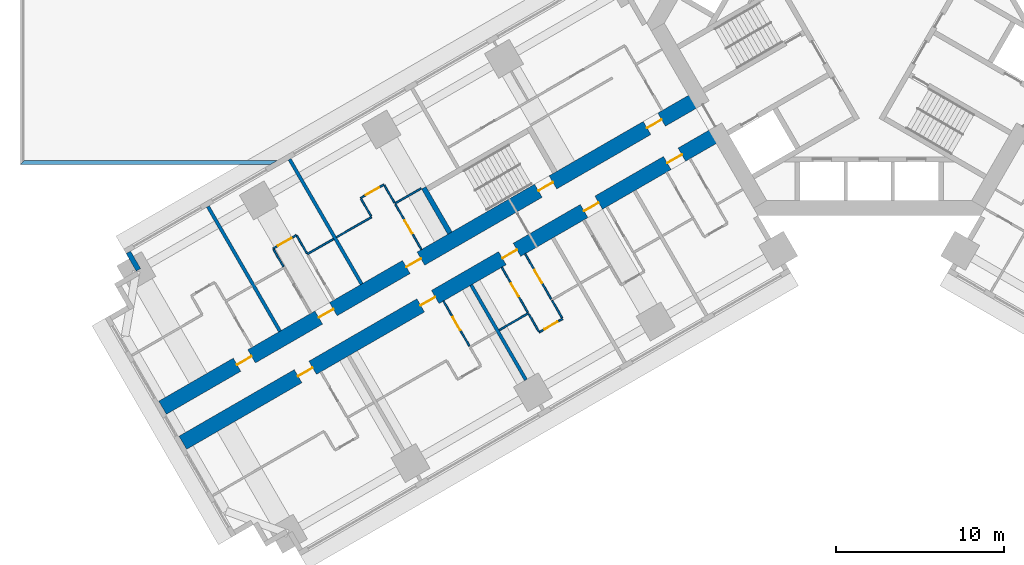
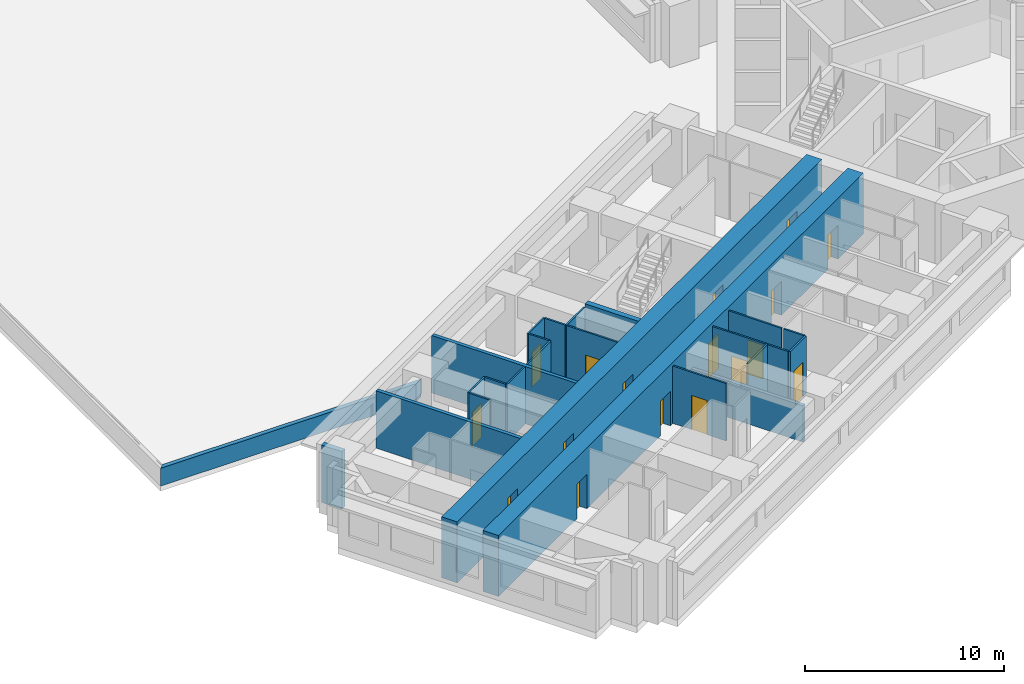
# One storey, part 4 of 18: 25 walls, 17 doors, 17 openings.
"""IFC4 building model written with IfcOpenShell, lengths in metres."""

import ifcopenshell
import ifcopenshell.guid

model = None  # the IFC model being written
_history = None  # IfcOwnerHistory: only IFC2X3 demands one
_inside = {}  # id of a spatial element -> (the spatial element, [elements in it])
_under = {}  # id of a project, library or spatial element -> (it, [spatial elements below it])
_declared = {}  # id of a project -> (the project, [libraries it declares])
_typed = {}  # id of a type object -> (the type object, [elements of that type])
_made_of = {}  # id of a material, layer set ... -> (it, [elements and type objects made of it])


def new_model(schema):
    """Start an empty IFC model of exactly this schema.

    Asked for "IFC4X3", IfcOpenShell would pick the latest addendum, in which some entities
    have other attributes; the version numbers below select the first issue.
    IFC2X3 requires an IfcOwnerHistory on every rooted entity: one is made here for all.
    """
    global model, _history
    if schema == "IFC4X3":
        model = ifcopenshell.file(schema_version=(4, 3, 0, 0))
    else:
        model = ifcopenshell.file(schema=schema)
    _inside.clear()
    _under.clear()
    _declared.clear()
    _typed.clear()
    _made_of.clear()
    _history = None
    if model.schema == "IFC2X3":
        org = make("IfcOrganization", Name="unknown")
        user = make(
            "IfcPersonAndOrganization",
            ThePerson=make("IfcPerson", FamilyName="unknown"),
            TheOrganization=org,
        )
        app = make(
            "IfcApplication",
            ApplicationDeveloper=org,
            Version="unknown",
            ApplicationFullName="unknown",
            ApplicationIdentifier="unknown",
        )
        _history = make(
            "IfcOwnerHistory",
            OwningUser=user,
            OwningApplication=app,
            ChangeAction="ADDED",
            CreationDate=0,
        )
    return model


def make(cls, **values):
    """One entity of the class cls with the attributes given. An attribute that is None is left unset."""
    return model.create_entity(
        cls, **{name: value for name, value in values.items() if value is not None}
    )


def rooted(cls, **values):
    """An entity with a GlobalId (a new one), such as an element, a storey or a relation."""
    return make(cls, GlobalId=ifcopenshell.guid.new(), OwnerHistory=_history, **values)


def si_unit(unit_type, name, prefix=None):
    """IfcSIUnit, for example si_unit("LENGTHUNIT", "METRE", prefix="MILLI")."""
    return make("IfcSIUnit", UnitType=unit_type, Prefix=prefix, Name=name)


def assignment(units):
    """IfcUnitAssignment: the units of a project."""
    return None if units is None else make("IfcUnitAssignment", Units=units)


def point(xyz):
    """IfcCartesianPoint."""
    return None if xyz is None else make("IfcCartesianPoint", Coordinates=xyz)


def direction(xyz):
    """IfcDirection."""
    return None if xyz is None else make("IfcDirection", DirectionRatios=xyz)


def frame(location, z_axis=None, x_axis=None):
    """IfcAxis2Placement3D, a coordinate frame: its origin and axes. An axis left out is left unset."""
    return make(
        "IfcAxis2Placement3D",
        Location=point(location),
        Axis=direction(z_axis),
        RefDirection=direction(x_axis),
    )


def frame_2d(location, x_axis=None):
    """IfcAxis2Placement2D, a coordinate frame in the plane: its origin and x axis."""
    return make(
        "IfcAxis2Placement2D", Location=point(location), RefDirection=direction(x_axis)
    )


def origin():
    """The frame at (0, 0, 0) with its axes left unset."""
    return frame((0.0, 0.0, 0.0))


def place(relative_to, where):
    """IfcLocalPlacement: puts the frame where relative to a parent placement (None: the world)."""
    return make(
        "IfcLocalPlacement", PlacementRelTo=relative_to, RelativePlacement=where
    )


def context(
    kind, dimensions, precision=None, world=None, true_north=None, identifier=None
):
    """IfcGeometricRepresentationContext, for example the 3D "Model" context."""
    return make(
        "IfcGeometricRepresentationContext",
        ContextIdentifier=identifier,
        ContextType=kind,
        CoordinateSpaceDimension=dimensions,
        Precision=precision,
        WorldCoordinateSystem=world,
        TrueNorth=true_north,
    )


def subcontext(parent, identifier, kind, view, scale=None):
    """IfcGeometricRepresentationSubContext, for example "Body" below "Model"."""
    return make(
        "IfcGeometricRepresentationSubContext",
        ContextIdentifier=identifier,
        ContextType=kind,
        ParentContext=parent,
        TargetScale=scale,
        TargetView=view,
    )


def project(units=None, contexts=None):
    """IfcProject with its units and contexts."""
    return rooted(
        "IfcProject",
        Name="project",
        RepresentationContexts=contexts,
        UnitsInContext=assignment(units),
    )


def spatial(cls, under=None, at=None, **own):
    """A site, building, storey or space (cls), placed at a placement, below another one or the project."""
    s = rooted(cls, ObjectPlacement=at, **own)
    if under is not None:
        _under.setdefault(under.id(), (under, []))[1].append(s)
    return s


def polyline(points):
    """IfcPolyline through the points."""
    return make("IfcPolyline", Points=[point(p) for p in points])


def profile(cls, at=None, kind="AREA", **sizes):
    """A parametric profile (cls). Its sizes go by their IFC names, for example OverallWidth=200.0."""
    return make(cls, ProfileType=kind, Position=at, **sizes)


def rectangle(**sizes):
    """IfcRectangleProfileDef."""
    return profile("IfcRectangleProfileDef", **sizes)


def outline(outer, holes=None, kind="AREA"):
    """IfcArbitraryClosedProfileDef: a profile drawn as a closed curve; with holes, ...WithVoids."""
    if holes is None:
        return make("IfcArbitraryClosedProfileDef", ProfileType=kind, OuterCurve=outer)
    return make(
        "IfcArbitraryProfileDefWithVoids",
        ProfileType=kind,
        OuterCurve=outer,
        InnerCurves=holes,
    )


def extrude(swept, where, along, depth):
    """IfcExtrudedAreaSolid: the profile swept, set in the frame where, extruded along a direction by depth."""
    return make(
        "IfcExtrudedAreaSolid",
        SweptArea=swept,
        Position=where,
        ExtrudedDirection=direction(along),
        Depth=depth,
    )


def shape(context_of_items, identifier, shape_type, items):
    """IfcShapeRepresentation: the items that make up one representation, for example the "Body"."""
    return make(
        "IfcShapeRepresentation",
        ContextOfItems=context_of_items,
        RepresentationIdentifier=identifier,
        RepresentationType=shape_type,
        Items=items,
    )


def material(Name=None, Category=None):
    """IfcMaterial."""
    return make("IfcMaterial", Name=Name, Category=Category)


def layer(
    of_material, thickness, ventilated=None, Name=None, Category=None, Priority=None
):
    """IfcMaterialLayer: one layer of a wall or slab, of a material (None: an air gap)."""
    return make(
        "IfcMaterialLayer",
        Material=of_material,
        LayerThickness=thickness,
        IsVentilated=ventilated,
        Name=Name,
        Category=Category,
        Priority=Priority,
    )


def layer_set(layers, Name=None):
    """IfcMaterialLayerSet."""
    return make("IfcMaterialLayerSet", MaterialLayers=layers, LayerSetName=Name)


def made_of(thing, what):
    """Note that an element or type object is made of a material, layer set ...; save() writes the relation."""
    if what is not None:
        _made_of.setdefault(what.id(), (what, []))[1].append(thing)
    return thing


def type_object(cls, material=None, **own):
    """A type object (cls), such as IfcWallType, which elements share."""
    return made_of(rooted(cls, **own), material)


def element(
    cls,
    number,
    at=None,
    inside=None,
    cuts=None,
    type_object=None,
    material=None,
    context=None,
    identifier="Body",
    shape_type=None,
    held_by="IfcProductDefinitionShape",
    body=None,
    shapes=None,
    **own,
):
    """One element of the class cls, such as IfcWall. Its Tag is "e" and its number.

    at: its placement. inside: the storey or other place that contains it. cuts: it is an
    opening in that element (IfcRelVoidsElement). A single representation is given by context,
    identifier, shape_type and body (its items); several are given by shapes. held_by: the class
    of the entity that holds the representations. save() writes the other relations.
    """
    e = rooted(cls, Tag="e%d" % number, ObjectPlacement=at, **own)
    if body is not None:
        shapes = [shape(context, identifier, shape_type, body)]
    if shapes is not None:
        e.Representation = make(held_by, Representations=shapes)
    if inside is not None:
        _inside.setdefault(inside.id(), (inside, []))[1].append(e)
    if cuts is not None:
        rooted(
            "IfcRelVoidsElement", RelatingBuildingElement=cuts, RelatedOpeningElement=e
        )
    if type_object is not None:
        _typed.setdefault(type_object.id(), (type_object, []))[1].append(e)
    return made_of(e, material)


def fill(opening, filler):
    """IfcRelFillsElement: the door or window that sits in an opening."""
    return rooted(
        "IfcRelFillsElement",
        RelatingOpeningElement=opening,
        RelatedBuildingElement=filler,
    )


def aggregate(whole, parts):
    """IfcRelAggregates: a whole, such as a stair, and the parts it consists of."""
    return rooted("IfcRelAggregates", RelatingObject=whole, RelatedObjects=parts)


def save(model, path):
    """Write the relations noted so far, then the file.

    IfcRelAggregates (storeys below a building ...), IfcRelContainedInSpatialStructure (elements
    in a storey), IfcRelDefinesByType, IfcRelAssociatesMaterial and IfcRelDeclares: one each for
    every whole, place, type object, material and project.
    """
    for whole, parts in _under.values():
        aggregate(whole, parts)
    for where, things in _inside.values():
        rooted(
            "IfcRelContainedInSpatialStructure",
            RelatedElements=things,
            RelatingStructure=where,
        )
    for kind, things in _typed.values():
        rooted("IfcRelDefinesByType", RelatedObjects=things, RelatingType=kind)
    for what, things in _made_of.values():
        rooted("IfcRelAssociatesMaterial", RelatedObjects=things, RelatingMaterial=what)
    for by, libraries in _declared.values():
        rooted("IfcRelDeclares", RelatingContext=by, RelatedDefinitions=libraries)
    model.write(path)


model = new_model("IFC4")

# Units and contexts
model_context = context("Model", 3, precision=1e-05, world=origin(), true_north=direction((0.0, 1.0)))
body_context = subcontext(model_context, "Body", "Model", "MODEL_VIEW")
ifc_project = project(units=[si_unit("LENGTHUNIT", "METRE"), si_unit("AREAUNIT", "SQUARE_METRE"), si_unit("VOLUMEUNIT", "CUBIC_METRE"), si_unit("PLANEANGLEUNIT", "RADIAN"), si_unit("MASSUNIT", "GRAM", prefix="KILO")], contexts=[model_context])

# Site, building, storey
site_placement = place(None, origin())
site = spatial("IfcSite", under=ifc_project, at=site_placement, CompositionType="ELEMENT")
building_placement = place(site_placement, origin())
building = spatial("IfcBuilding", under=site, at=building_placement, Name="Impinga Residences", CompositionType="ELEMENT")
storey_placement = place(building_placement, frame((0.0, 0.0, 26.0)))
storey = spatial("IfcBuildingStorey", under=building, at=storey_placement, Name="L05", CompositionType="ELEMENT", Elevation=26.0)

# Wall, openings, doors
ifc_material_1 = material(Name="Concrete C70/85", Category="concrete")
ifc_layer_1 = layer(ifc_material_1, 0.89990234375)
ifc_layer_set_1 = layer_set([ifc_layer_1], Name="Concrete C70/85")
wall_type_1 = type_object("IfcWallType", Name="BW1 corridor buttress wall, L05 to L22 900", PredefinedType="SHEAR", material=ifc_layer_set_1)
wall_1_placement = place(storey_placement, frame((-8.910400390625, -6.530029296875, 0.0), z_axis=(0.0, 0.0, 1.0), x_axis=(-0.866025284237, -0.500000207062, 0.0)))
wall_1 = element("IfcWall", 1, at=wall_1_placement, inside=storey, type_object=wall_type_1, Name="Corridor wall BW1 WC L05", PredefinedType="SHEAR", context=body_context, shape_type="SweptSolid", body=[
    extrude(rectangle(XDim=36.75, YDim=0.89990234375, at=frame_2d((18.375, 0.0))), origin(), (0.0, 0.0, 1.0), 3.75),
])
opening_1_placement = place(wall_1_placement, frame((2.550048828125, 0.0, 0.0)))
opening_1 = element("IfcOpeningElement", 2, at=opening_1_placement, cuts=wall_1, Name="Opening D1", PredefinedType="OPENING", context=body_context, shape_type="SweptSolid", body=[
    extrude(rectangle(XDim=1.0, YDim=2.10009765625, at=frame_2d((0.5, 1.050048828125))), frame((0.0, 0.4599609375, 0.0), z_axis=(0.0, -1.0, 0.0), x_axis=(1.0, 0.0, 0.0)), (0.0, 0.0, 1.0), 0.919921875),
])
opening_2_placement = place(wall_1_placement, frame((8.25, 0.0, 0.0)))
opening_2 = element("IfcOpeningElement", 3, at=opening_2_placement, cuts=wall_1, Name="Opening D1", PredefinedType="OPENING", context=body_context, shape_type="SweptSolid", body=[
    extrude(rectangle(XDim=1.0, YDim=2.10009765625, at=frame_2d((0.5, 1.050048828125))), frame((0.0, 0.4599609375, 0.0), z_axis=(0.0, -1.0, 0.0), x_axis=(1.0, 0.0, 0.0)), (0.0, 0.0, 1.0), 0.919921875),
])
opening_3_placement = place(wall_1_placement, frame((13.85009765625, 0.0, 0.0)))
opening_3 = element("IfcOpeningElement", 4, at=opening_3_placement, cuts=wall_1, Name="Opening D1", PredefinedType="OPENING", context=body_context, shape_type="SweptSolid", body=[
    extrude(rectangle(XDim=1.0, YDim=2.10009765625, at=frame_2d((0.5, 1.050048828125))), frame((0.0, 0.4599609375, 0.0), z_axis=(0.0, -1.0, 0.0), x_axis=(1.0, 0.0, 0.0)), (0.0, 0.0, 1.0), 0.919921875),
])
opening_4_placement = place(wall_1_placement, frame((19.449951171875, 0.0, 0.0)))
opening_4 = element("IfcOpeningElement", 5, at=opening_4_placement, cuts=wall_1, Name="Opening D1", PredefinedType="OPENING", context=body_context, shape_type="SweptSolid", body=[
    extrude(rectangle(XDim=1.0, YDim=2.10009765625, at=frame_2d((0.5, 1.050048828125))), frame((0.0, 0.4599609375, 0.0), z_axis=(0.0, -1.0, 0.0), x_axis=(1.0, 0.0, 0.0)), (0.0, 0.0, 1.0), 0.919921875),
])
opening_5_placement = place(wall_1_placement, frame((27.85009765625, 0.0, 0.0)))
opening_5 = element("IfcOpeningElement", 6, at=opening_5_placement, cuts=wall_1, Name="Opening D1", PredefinedType="OPENING", context=body_context, shape_type="SweptSolid", body=[
    extrude(rectangle(XDim=1.0, YDim=2.10009765625, at=frame_2d((0.5, 1.050048828125))), frame((0.0, 0.4599609375, 0.0), z_axis=(0.0, -1.0, 0.0), x_axis=(1.0, 0.0, 0.0)), (0.0, 0.0, 1.0), 0.919921875),
])
ifc_material_2 = material(Name="Timber door set", Category="wood")
door_type_1 = type_object("IfcDoorType", Name="D1 apartment entrance door 1000x2100", OperationType="SINGLE_SWING_LEFT", PredefinedType="DOOR", material=ifc_material_2)
door_1_placement = place(opening_1_placement, origin())
door_1 = element("IfcDoor", 7, at=door_1_placement, inside=storey, type_object=door_type_1, Name="Apartment L05-WA1 entrance", OperationType="SINGLE_SWING_LEFT", OverallHeight=2.10009765625, OverallWidth=1.0, PredefinedType="DOOR", context=body_context, shape_type="SweptSolid", body=[
    extrude(rectangle(XDim=1.0, YDim=2.10009765625, at=frame_2d((0.5, 1.050048828125))), frame((0.0, 0.02490234375, 0.0), z_axis=(0.0, -1.0, 0.0), x_axis=(1.0, 0.0, 0.0)), (0.0, 0.0, 1.0), 0.050048828125),
])
fill(opening_1, door_1)
door_2_placement = place(opening_2_placement, origin())
door_2 = element("IfcDoor", 8, at=door_2_placement, inside=storey, type_object=door_type_1, Name="Apartment L05-WA2 entrance", OperationType="SINGLE_SWING_LEFT", OverallHeight=2.10009765625, OverallWidth=1.0, PredefinedType="DOOR", context=body_context, shape_type="SweptSolid", body=[
    extrude(rectangle(XDim=1.0, YDim=2.10009765625, at=frame_2d((0.5, 1.050048828125))), frame((0.0, 0.02490234375, 0.0), z_axis=(0.0, -1.0, 0.0), x_axis=(1.0, 0.0, 0.0)), (0.0, 0.0, 1.0), 0.050048828125),
])
fill(opening_2, door_2)
door_3_placement = place(opening_3_placement, origin())
door_3 = element("IfcDoor", 9, at=door_3_placement, inside=storey, type_object=door_type_1, Name="Apartment L05-WA3 entrance", OperationType="SINGLE_SWING_LEFT", OverallHeight=2.10009765625, OverallWidth=1.0, PredefinedType="DOOR", context=body_context, shape_type="SweptSolid", body=[
    extrude(rectangle(XDim=1.0, YDim=2.10009765625, at=frame_2d((0.5, 1.050048828125))), frame((0.0, 0.02490234375, 0.0), z_axis=(0.0, -1.0, 0.0), x_axis=(1.0, 0.0, 0.0)), (0.0, 0.0, 1.0), 0.050048828125),
])
fill(opening_3, door_3)
door_4_placement = place(opening_4_placement, origin())
door_4 = element("IfcDoor", 10, at=door_4_placement, inside=storey, type_object=door_type_1, Name="Apartment L05-WA4 entrance", OperationType="SINGLE_SWING_RIGHT", OverallHeight=2.10009765625, OverallWidth=1.0, PredefinedType="DOOR", context=body_context, shape_type="SweptSolid", body=[
    extrude(rectangle(XDim=1.0, YDim=2.10009765625, at=frame_2d((0.5, 1.050048828125))), frame((0.0, 0.02490234375, 0.0), z_axis=(0.0, -1.0, 0.0), x_axis=(1.0, 0.0, 0.0)), (0.0, 0.0, 1.0), 0.050048828125),
])
fill(opening_4, door_4)
door_5_placement = place(opening_5_placement, origin())
door_5 = element("IfcDoor", 11, at=door_5_placement, inside=storey, type_object=door_type_1, Name="Apartment L05-WA5 entrance", OperationType="SINGLE_SWING_RIGHT", OverallHeight=2.10009765625, OverallWidth=1.0, PredefinedType="DOOR", context=body_context, shape_type="SweptSolid", body=[
    extrude(rectangle(XDim=1.0, YDim=2.10009765625, at=frame_2d((0.5, 1.050048828125))), frame((0.0, 0.02490234375, 0.0), z_axis=(0.0, -1.0, 0.0), x_axis=(1.0, 0.0, 0.0)), (0.0, 0.0, 1.0), 0.050048828125),
])
fill(opening_5, door_5)

wall_2_placement = place(storey_placement, frame((-10.1103515625, -4.451416015625, 0.0), z_axis=(0.0, 0.0, 1.0), x_axis=(-0.866025284237, -0.500000207062, 0.0)))
wall_2 = element("IfcWall", 12, at=wall_2_placement, inside=storey, type_object=wall_type_1, Name="Corridor wall BW1 WD L05", PredefinedType="SHEAR", context=body_context, shape_type="SweptSolid", body=[
    extrude(rectangle(XDim=36.75, YDim=0.89990234375, at=frame_2d((18.375, 0.0))), origin(), (0.0, 0.0, 1.0), 3.75),
])
opening_6_placement = place(wall_2_placement, frame((10.0, 0.0, 0.0)))
opening_6 = element("IfcOpeningElement", 13, at=opening_6_placement, cuts=wall_2, Name="Opening D5", PredefinedType="OPENING", context=body_context, shape_type="SweptSolid", body=[
    extrude(rectangle(XDim=1.0, YDim=2.10009765625, at=frame_2d((0.5, 1.050048828125))), frame((0.0, 0.4599609375, 0.0), z_axis=(0.0, -1.0, 0.0), x_axis=(1.0, 0.0, 0.0)), (0.0, 0.0, 1.0), 0.919921875),
])
opening_7_placement = place(wall_2_placement, frame((2.550048828125, 0.0, 0.0)))
opening_7 = element("IfcOpeningElement", 14, at=opening_7_placement, cuts=wall_2, Name="Opening D1", PredefinedType="OPENING", context=body_context, shape_type="SweptSolid", body=[
    extrude(rectangle(XDim=1.0, YDim=2.10009765625, at=frame_2d((0.5, 1.050048828125))), frame((0.0, 0.4599609375, 0.0), z_axis=(0.0, -1.0, 0.0), x_axis=(1.0, 0.0, 0.0)), (0.0, 0.0, 1.0), 0.919921875),
])
opening_8_placement = place(wall_2_placement, frame((19.050048828125, 0.0, 0.0)))
opening_8 = element("IfcOpeningElement", 15, at=opening_8_placement, cuts=wall_2, Name="Opening D1", PredefinedType="OPENING", context=body_context, shape_type="SweptSolid", body=[
    extrude(rectangle(XDim=1.0, YDim=2.10009765625, at=frame_2d((0.5, 1.050048828125))), frame((0.0, 0.4599609375, 0.0), z_axis=(0.0, -1.0, 0.0), x_axis=(1.0, 0.0, 0.0)), (0.0, 0.0, 1.0), 0.919921875),
])
opening_9_placement = place(wall_2_placement, frame((25.050048828125, 0.0, 0.0)))
opening_9 = element("IfcOpeningElement", 16, at=opening_9_placement, cuts=wall_2, Name="Opening D1", PredefinedType="OPENING", context=body_context, shape_type="SweptSolid", body=[
    extrude(rectangle(XDim=1.0, YDim=2.10009765625, at=frame_2d((0.5, 1.050048828125))), frame((0.0, 0.4599609375, 0.0), z_axis=(0.0, -1.0, 0.0), x_axis=(1.0, 0.0, 0.0)), (0.0, 0.0, 1.0), 0.919921875),
])
opening_10_placement = place(wall_2_placement, frame((30.64990234375, 0.0, 0.0)))
opening_10 = element("IfcOpeningElement", 17, at=opening_10_placement, cuts=wall_2, Name="Opening D1", PredefinedType="OPENING", context=body_context, shape_type="SweptSolid", body=[
    extrude(rectangle(XDim=1.0, YDim=2.10009765625, at=frame_2d((0.5, 1.050048828125))), frame((0.0, 0.4599609375, 0.0), z_axis=(0.0, -1.0, 0.0), x_axis=(1.0, 0.0, 0.0)), (0.0, 0.0, 1.0), 0.919921875),
])
door_6_placement = place(opening_7_placement, origin())
door_6 = element("IfcDoor", 18, at=door_6_placement, inside=storey, type_object=door_type_1, Name="Apartment L05-WF1 entrance", OperationType="SINGLE_SWING_LEFT", OverallHeight=2.10009765625, OverallWidth=1.0, PredefinedType="DOOR", context=body_context, shape_type="SweptSolid", body=[
    extrude(rectangle(XDim=1.0, YDim=2.10009765625, at=frame_2d((0.5, 1.050048828125))), frame((0.0, 0.02490234375, 0.0), z_axis=(0.0, -1.0, 0.0), x_axis=(1.0, 0.0, 0.0)), (0.0, 0.0, 1.0), 0.050048828125),
])
fill(opening_7, door_6)
door_7_placement = place(opening_8_placement, origin())
door_7 = element("IfcDoor", 19, at=door_7_placement, inside=storey, type_object=door_type_1, Name="Apartment L05-WF2 entrance", OperationType="SINGLE_SWING_RIGHT", OverallHeight=2.10009765625, OverallWidth=1.0, PredefinedType="DOOR", context=body_context, shape_type="SweptSolid", body=[
    extrude(rectangle(XDim=1.0, YDim=2.10009765625, at=frame_2d((0.5, 1.050048828125))), frame((0.0, 0.02490234375, 0.0), z_axis=(0.0, -1.0, 0.0), x_axis=(1.0, 0.0, 0.0)), (0.0, 0.0, 1.0), 0.050048828125),
])
fill(opening_8, door_7)
door_8_placement = place(opening_9_placement, origin())
door_8 = element("IfcDoor", 20, at=door_8_placement, inside=storey, type_object=door_type_1, Name="Apartment L05-WF3 entrance", OperationType="SINGLE_SWING_RIGHT", OverallHeight=2.10009765625, OverallWidth=1.0, PredefinedType="DOOR", context=body_context, shape_type="SweptSolid", body=[
    extrude(rectangle(XDim=1.0, YDim=2.10009765625, at=frame_2d((0.5, 1.050048828125))), frame((0.0, 0.02490234375, 0.0), z_axis=(0.0, -1.0, 0.0), x_axis=(1.0, 0.0, 0.0)), (0.0, 0.0, 1.0), 0.050048828125),
])
fill(opening_9, door_8)
door_9_placement = place(opening_10_placement, origin())
door_9 = element("IfcDoor", 21, at=door_9_placement, inside=storey, type_object=door_type_1, Name="Apartment L05-WF4 entrance", OperationType="SINGLE_SWING_RIGHT", OverallHeight=2.10009765625, OverallWidth=1.0, PredefinedType="DOOR", context=body_context, shape_type="SweptSolid", body=[
    extrude(rectangle(XDim=1.0, YDim=2.10009765625, at=frame_2d((0.5, 1.050048828125))), frame((0.0, 0.02490234375, 0.0), z_axis=(0.0, -1.0, 0.0), x_axis=(1.0, 0.0, 0.0)), (0.0, 0.0, 1.0), 0.050048828125),
])
fill(opening_10, door_9)
door_type_2 = type_object("IfcDoorType", Name="D5 stair door 1000x2100", OperationType="SINGLE_SWING_LEFT", PredefinedType="DOOR", material=ifc_material_2)
door_10_placement = place(opening_6_placement, origin())
door_10 = element("IfcDoor", 22, at=door_10_placement, inside=storey, type_object=door_type_2, Name="Wing stair door W", OperationType="SINGLE_SWING_LEFT", OverallHeight=2.10009765625, OverallWidth=1.0, PredefinedType="DOOR", context=body_context, shape_type="SweptSolid", body=[
    extrude(rectangle(XDim=1.0, YDim=2.10009765625, at=frame_2d((0.5, 1.050048828125))), frame((0.0, 0.02490234375, 0.0), z_axis=(0.0, -1.0, 0.0), x_axis=(1.0, 0.0, 0.0)), (0.0, 0.0, 1.0), 0.050048828125),
])
fill(opening_6, door_10)

# Walls
ifc_material_3 = material(Name="Terracotta rainscreen on blockwork", Category="masonry")
ifc_layer_2 = layer(ifc_material_3, 0.300048828125)
ifc_layer_set_2 = layer_set([ifc_layer_2], Name="EW1 external wall, terracotta rainscreen on blockwork 300")
wall_type_2 = type_object("IfcWallType", Name="EW1 external wall, terracotta rainscreen on blockwork 300", PredefinedType="SOLIDWALL", material=ifc_layer_set_2)
wall_3_placement = place(storey_placement, frame((-43.37109375, -14.64208984375, 0.0), z_axis=(0.0, 0.0, 1.0), x_axis=(-0.500029051137, 0.866008630453, 0.0)))
element("IfcWall", 23, at=wall_3_placement, inside=storey, type_object=wall_type_2, Name="External wall EW1 L05", PredefinedType="SOLIDWALL", context=body_context, shape_type="SweptSolid", body=[
    extrude(rectangle(XDim=1.19482421875, YDim=0.300048828125, at=frame_2d((0.597412109375, 0.0))), origin(), (0.0, 0.0, 1.0), 3.530029296875),
])
ifc_material_4 = material(Name="Gypsum board on steel studs", Category="steel")
ifc_layer_3 = layer(ifc_material_4, 0.10009765625)
ifc_layer_set_3 = layer_set([ifc_layer_3], Name="Gypsum board on steel studs")
wall_type_3 = type_object("IfcWallType", Name="IP1 partition 100", PredefinedType="PARTITIONING", material=ifc_layer_set_3)
wall_4_placement = place(storey_placement, frame((-20.23046875, -17.22265625, 0.0), z_axis=(0.0, 0.0, 1.0), x_axis=(-0.866041268327, -0.499972520799, 0.0)))
element("IfcWall", 24, at=wall_4_placement, inside=storey, type_object=wall_type_3, Name="Partition L05-WA3:DIV1", PredefinedType="PARTITIONING", context=body_context, shape_type="SweptSolid", body=[
    extrude(rectangle(XDim=2.0, YDim=0.10009765625, at=frame_2d((1.0, 0.0))), origin(), (0.0, 0.0, 1.0), 3.530029296875),
])

# Wall, opening, door
wall_5_placement = place(storey_placement, frame((-18.19482421875, -17.548583984375, 0.0), z_axis=(0.0, 0.0, 1.0), x_axis=(-0.866028054938, -0.499995408039, 0.0)))
wall_5 = element("IfcWall", 25, at=wall_5_placement, inside=storey, type_object=wall_type_3, Name="Partition L05-WA3:STRIP", PredefinedType="PARTITIONING", context=body_context, shape_type="SweptSolid", body=[
    extrude(rectangle(XDim=1.60009765625, YDim=0.10009765625, at=frame_2d((0.800048828125, 0.0))), origin(), (0.0, 0.0, 1.0), 3.530029296875),
])
opening_11_placement = place(wall_5_placement, frame((0.35009765625, 0.0, 0.0)))
opening_11 = element("IfcOpeningElement", 26, at=opening_11_placement, cuts=wall_5, Name="Opening D2", PredefinedType="OPENING", context=body_context, shape_type="SweptSolid", body=[
    extrude(rectangle(XDim=0.89990234375, YDim=2.10009765625, at=frame_2d((0.449951171875, 1.050048828125))), frame((0.0, 0.06005859375, 0.0), z_axis=(0.0, -1.0, 0.0), x_axis=(1.0, 0.0, 0.0)), (0.0, 0.0, 1.0), 0.1201171875),
])
door_type_3 = type_object("IfcDoorType", Name="D2 internal door 900x2100", OperationType="SINGLE_SWING_LEFT", PredefinedType="DOOR", material=ifc_material_2)
door_11_placement = place(opening_11_placement, origin())
door_11 = element("IfcDoor", 27, at=door_11_placement, inside=storey, type_object=door_type_3, Name="Apartment L05-WA3 room door", OperationType="SINGLE_SWING_LEFT", OverallHeight=2.10009765625, OverallWidth=0.89990234375, PredefinedType="DOOR", context=body_context, shape_type="SweptSolid", body=[
    extrude(rectangle(XDim=0.89990234375, YDim=2.10009765625, at=frame_2d((0.449951171875, 1.050048828125))), frame((0.0, 0.02490234375, 0.0), z_axis=(0.0, -1.0, 0.0), x_axis=(1.0, 0.0, 0.0)), (0.0, 0.0, 1.0), 0.050048828125),
])
fill(opening_11, door_11)

# Walls
wall_6_placement = place(storey_placement, frame((-18.81982421875, -16.466064453125, 0.0), z_axis=(0.0, 0.0, 1.0), x_axis=(0.499969057507, -0.866043267704, 0.0)))
element("IfcWall", 28, at=wall_6_placement, inside=storey, type_object=wall_type_3, Name="Partition L05-WA3:SE0", PredefinedType="PARTITIONING", context=body_context, shape_type="SweptSolid", body=[
    extrude(rectangle(XDim=1.19970703125, YDim=0.10009765625, at=frame_2d((0.599853515625, 0.0))), origin(), (0.0, 0.0, 1.0), 3.530029296875),
])
wall_7_placement = place(storey_placement, frame((-20.20556640625, -17.265869140625, 0.0), z_axis=(0.0, 0.0, 1.0), x_axis=(0.500033551112, -0.866006032174, 0.0)))
element("IfcWall", 29, at=wall_7_placement, inside=storey, type_object=wall_type_3, Name="Partition L05-WA3:SE1", PredefinedType="PARTITIONING", context=body_context, shape_type="SweptSolid", body=[
    extrude(rectangle(XDim=1.2001953125, YDim=0.10009765625, at=frame_2d((0.60009765625, 0.0))), origin(), (0.0, 0.0, 1.0), 3.530029296875),
])

# Wall, opening, door
wall_8_placement = place(storey_placement, frame((-20.419921875, -13.69482421875, 0.0), z_axis=(0.0, 0.0, 1.0), x_axis=(0.500026960575, -0.86600983753, 0.0)))
wall_8 = element("IfcWall", 30, at=wall_8_placement, inside=storey, type_object=wall_type_3, Name="Partition L05-WA3:IB1", PredefinedType="PARTITIONING", context=body_context, shape_type="SweptSolid", body=[
    extrude(rectangle(XDim=3.099853515625, YDim=0.10009765625, at=frame_2d((1.5498046875, 0.0))), origin(), (0.0, 0.0, 1.0), 3.530029296875),
])
opening_12_placement = place(wall_8_placement, frame((1.10009765625, 0.0, 0.0)))
opening_12 = element("IfcOpeningElement", 31, at=opening_12_placement, cuts=wall_8, Name="Opening D2", PredefinedType="OPENING", context=body_context, shape_type="SweptSolid", body=[
    extrude(rectangle(XDim=0.89990234375, YDim=2.10009765625, at=frame_2d((0.449951171875, 1.050048828125))), frame((0.0, 0.06005859375, 0.0), z_axis=(0.0, -1.0, 0.0), x_axis=(1.0, 0.0, 0.0)), (0.0, 0.0, 1.0), 0.1201171875),
])
door_12_placement = place(opening_12_placement, origin())
door_12 = element("IfcDoor", 32, at=door_12_placement, inside=storey, type_object=door_type_3, Name="Apartment L05-WA3 bathroom door", OperationType="SINGLE_SWING_LEFT", OverallHeight=2.10009765625, OverallWidth=0.89990234375, PredefinedType="DOOR", context=body_context, shape_type="SweptSolid", body=[
    extrude(rectangle(XDim=0.89990234375, YDim=2.10009765625, at=frame_2d((0.449951171875, 1.050048828125))), frame((0.0, 0.02490234375, 0.0), z_axis=(0.0, -1.0, 0.0), x_axis=(1.0, 0.0, 0.0)), (0.0, 0.0, 1.0), 0.050048828125),
])
fill(opening_12, door_12)

wall_9_placement = place(storey_placement, frame((-21.8056640625, -14.49462890625, 0.0), z_axis=(0.0, 0.0, 1.0), x_axis=(0.49999285859, -0.86602952684, 0.0)))
wall_9 = element("IfcWall", 33, at=wall_9_placement, inside=storey, type_object=wall_type_3, Name="Partition L05-WA3:IB2", PredefinedType="PARTITIONING", context=body_context, shape_type="SweptSolid", body=[
    extrude(rectangle(XDim=3.10009765625, YDim=0.10009765625, at=frame_2d((1.550048828125, 0.0))), origin(), (0.0, 0.0, 1.0), 3.530029296875),
])
opening_13_placement = place(wall_9_placement, frame((1.10009765625, 0.0, 0.0)))
opening_13 = element("IfcOpeningElement", 34, at=opening_13_placement, cuts=wall_9, Name="Opening D2", PredefinedType="OPENING", context=body_context, shape_type="SweptSolid", body=[
    extrude(rectangle(XDim=0.89990234375, YDim=2.10009765625, at=frame_2d((0.449951171875, 1.050048828125))), frame((0.0, 0.06005859375, 0.0), z_axis=(0.0, -1.0, 0.0), x_axis=(1.0, 0.0, 0.0)), (0.0, 0.0, 1.0), 0.1201171875),
])
door_13_placement = place(opening_13_placement, origin())
door_13 = element("IfcDoor", 35, at=door_13_placement, inside=storey, type_object=door_type_3, Name="Apartment L05-WA3 WC door", OperationType="SINGLE_SWING_LEFT", OverallHeight=2.10009765625, OverallWidth=0.89990234375, PredefinedType="DOOR", context=body_context, shape_type="SweptSolid", body=[
    extrude(rectangle(XDim=0.89990234375, YDim=2.10009765625, at=frame_2d((0.449951171875, 1.050048828125))), frame((0.0, 0.02490234375, 0.0), z_axis=(0.0, -1.0, 0.0), x_axis=(1.0, 0.0, 0.0)), (0.0, 0.0, 1.0), 0.050048828125),
])
fill(opening_13, door_13)

wall_10_placement = place(storey_placement, frame((-25.269775390625, -16.49462890625, 0.0), z_axis=(0.0, 0.0, 1.0), x_axis=(0.49999285859, -0.86602952684, 0.0)))
wall_10 = element("IfcWall", 36, at=wall_10_placement, inside=storey, type_object=wall_type_3, Name="Partition L05-WA4:IB1", PredefinedType="PARTITIONING", context=body_context, shape_type="SweptSolid", body=[
    extrude(rectangle(XDim=3.10009765625, YDim=0.10009765625, at=frame_2d((1.550048828125, 0.0))), origin(), (0.0, 0.0, 1.0), 3.530029296875),
])
opening_14_placement = place(wall_10_placement, frame((1.10009765625, 0.0, 0.0)))
opening_14 = element("IfcOpeningElement", 37, at=opening_14_placement, cuts=wall_10, Name="Opening D2", PredefinedType="OPENING", context=body_context, shape_type="SweptSolid", body=[
    extrude(rectangle(XDim=0.89990234375, YDim=2.10009765625, at=frame_2d((0.449951171875, 1.050048828125))), frame((0.0, 0.06005859375, 0.0), z_axis=(0.0, -1.0, 0.0), x_axis=(1.0, 0.0, 0.0)), (0.0, 0.0, 1.0), 0.1201171875),
])
door_14_placement = place(opening_14_placement, origin())
door_14 = element("IfcDoor", 38, at=door_14_placement, inside=storey, type_object=door_type_3, Name="Apartment L05-WA4 bathroom door", OperationType="SINGLE_SWING_LEFT", OverallHeight=2.10009765625, OverallWidth=0.89990234375, PredefinedType="DOOR", context=body_context, shape_type="SweptSolid", body=[
    extrude(rectangle(XDim=0.89990234375, YDim=2.10009765625, at=frame_2d((0.449951171875, 1.050048828125))), frame((0.0, 0.02490234375, 0.0), z_axis=(0.0, -1.0, 0.0), x_axis=(1.0, 0.0, 0.0)), (0.0, 0.0, 1.0), 0.050048828125),
])
fill(opening_14, door_14)

# Walls
wall_11_placement = place(storey_placement, frame((-26.58935546875, -9.808837890625, 0.0), z_axis=(0.0, 0.0, 1.0), x_axis=(-0.866047807691, -0.499961193289, 0.0)))
element("IfcWall", 39, at=wall_11_placement, inside=storey, type_object=wall_type_3, Name="Partition L05-WF2:DIV0", PredefinedType="PARTITIONING", context=body_context, shape_type="SweptSolid", body=[
    extrude(rectangle(XDim=1.800048828125, YDim=0.10009765625, at=frame_2d((0.89990234375, 0.0))), origin(), (0.0, 0.0, 1.0), 3.530029296875),
])
wall_12_placement = place(storey_placement, frame((-29.533935546875, -11.5087890625, 0.0), z_axis=(0.0, 0.0, 1.0), x_axis=(-0.866024647952, -0.500001309137, 0.0)))
element("IfcWall", 40, at=wall_12_placement, inside=storey, type_object=wall_type_3, Name="Partition L05-WF2:DIV1", PredefinedType="PARTITIONING", context=body_context, shape_type="SweptSolid", body=[
    extrude(rectangle(XDim=2.39990234375, YDim=0.10009765625, at=frame_2d((1.199951171875, 0.0))), origin(), (0.0, 0.0, 1.0), 3.530029296875),
])

# Wall, opening, door
wall_13_placement = place(storey_placement, frame((-28.79833984375, -9.5830078125, 0.0), z_axis=(0.0, 0.0, 1.0), x_axis=(-0.865989903783, -0.500061482766, 0.0)))
wall_13 = element("IfcWall", 41, at=wall_13_placement, inside=storey, type_object=wall_type_3, Name="Partition L05-WF2:STRIP", PredefinedType="PARTITIONING", context=body_context, shape_type="SweptSolid", body=[
    extrude(rectangle(XDim=1.599853515625, YDim=0.10009765625, at=frame_2d((0.7998046875, 0.0))), origin(), (0.0, 0.0, 1.0), 3.530029296875),
])
opening_15_placement = place(wall_13_placement, frame((0.35009765625, 0.0, 0.0)))
opening_15 = element("IfcOpeningElement", 42, at=opening_15_placement, cuts=wall_13, Name="Opening D2", PredefinedType="OPENING", context=body_context, shape_type="SweptSolid", body=[
    extrude(rectangle(XDim=0.89990234375, YDim=2.10009765625, at=frame_2d((0.449951171875, 1.050048828125))), frame((0.0, 0.06005859375, 0.0), z_axis=(0.0, -1.0, 0.0), x_axis=(1.0, 0.0, 0.0)), (0.0, 0.0, 1.0), 0.1201171875),
])
door_15_placement = place(opening_15_placement, origin())
door_15 = element("IfcDoor", 43, at=door_15_placement, inside=storey, type_object=door_type_3, Name="Apartment L05-WF2 room door", OperationType="SINGLE_SWING_LEFT", OverallHeight=2.10009765625, OverallWidth=0.89990234375, PredefinedType="DOOR", context=body_context, shape_type="SweptSolid", body=[
    extrude(rectangle(XDim=0.89990234375, YDim=2.10009765625, at=frame_2d((0.449951171875, 1.050048828125))), frame((0.0, 0.02490234375, 0.0), z_axis=(0.0, -1.0, 0.0), x_axis=(1.0, 0.0, 0.0)), (0.0, 0.0, 1.0), 0.050048828125),
])
fill(opening_15, door_15)

# Walls
wall_14_placement = place(storey_placement, frame((-28.17333984375, -10.66552734375, 0.0), z_axis=(0.0, 0.0, 1.0), x_axis=(-0.499880961361, 0.866094119867, 0.0)))
element("IfcWall", 44, at=wall_14_placement, inside=storey, type_object=wall_type_3, Name="Partition L05-WF2:SE0", PredefinedType="PARTITIONING", context=body_context, shape_type="SweptSolid", body=[
    extrude(rectangle(XDim=1.199951171875, YDim=0.10009765625, at=frame_2d((0.60009765625, 0.0))), origin(), (0.0, 0.0, 1.0), 3.530029296875),
])
wall_15_placement = place(storey_placement, frame((-29.558837890625, -11.465576171875, 0.0), z_axis=(0.0, 0.0, 1.0), x_axis=(-0.500033551112, 0.866006032174, 0.0)))
element("IfcWall", 45, at=wall_15_placement, inside=storey, type_object=wall_type_3, Name="Partition L05-WF2:SE1", PredefinedType="PARTITIONING", context=body_context, shape_type="SweptSolid", body=[
    extrude(rectangle(XDim=1.2001953125, YDim=0.10009765625, at=frame_2d((0.60009765625, 0.0))), origin(), (0.0, 0.0, 1.0), 3.530029296875),
])

# Wall, opening, door
wall_16_placement = place(storey_placement, frame((-26.5732421875, -13.436767578125, 0.0), z_axis=(0.0, 0.0, 1.0), x_axis=(-0.500026960575, 0.86600983753, 0.0)))
wall_16 = element("IfcWall", 46, at=wall_16_placement, inside=storey, type_object=wall_type_3, Name="Partition L05-WF2:IB1", PredefinedType="PARTITIONING", context=body_context, shape_type="SweptSolid", body=[
    extrude(rectangle(XDim=3.099853515625, YDim=0.10009765625, at=frame_2d((1.5498046875, 0.0))), origin(), (0.0, 0.0, 1.0), 3.530029296875),
])
opening_16_placement = place(wall_16_placement, frame((1.10009765625, 0.0, 0.0)))
opening_16 = element("IfcOpeningElement", 47, at=opening_16_placement, cuts=wall_16, Name="Opening D2", PredefinedType="OPENING", context=body_context, shape_type="SweptSolid", body=[
    extrude(rectangle(XDim=0.89990234375, YDim=2.10009765625, at=frame_2d((0.449951171875, 1.050048828125))), frame((0.0, 0.06005859375, 0.0), z_axis=(0.0, -1.0, 0.0), x_axis=(1.0, 0.0, 0.0)), (0.0, 0.0, 1.0), 0.1201171875),
])
door_16_placement = place(opening_16_placement, origin())
door_16 = element("IfcDoor", 48, at=door_16_placement, inside=storey, type_object=door_type_3, Name="Apartment L05-WF2 bathroom door", OperationType="SINGLE_SWING_LEFT", OverallHeight=2.10009765625, OverallWidth=0.89990234375, PredefinedType="DOOR", context=body_context, shape_type="SweptSolid", body=[
    extrude(rectangle(XDim=0.89990234375, YDim=2.10009765625, at=frame_2d((0.449951171875, 1.050048828125))), frame((0.0, 0.02490234375, 0.0), z_axis=(0.0, -1.0, 0.0), x_axis=(1.0, 0.0, 0.0)), (0.0, 0.0, 1.0), 0.050048828125),
])
fill(opening_16, door_16)

# Wall
wall_17_placement = place(storey_placement, frame((-31.78564453125, -12.808837890625, 0.0), z_axis=(0.0, 0.0, 1.0), x_axis=(-0.866047807691, -0.499961193289, 0.0)))
element("IfcWall", 49, at=wall_17_placement, inside=storey, type_object=wall_type_3, Name="Partition L05-WF3:DIV0", PredefinedType="PARTITIONING", context=body_context, shape_type="SweptSolid", body=[
    extrude(rectangle(XDim=1.800048828125, YDim=0.10009765625, at=frame_2d((0.89990234375, 0.0))), origin(), (0.0, 0.0, 1.0), 3.530029296875),
])

# Wall, opening, door
wall_18_placement = place(storey_placement, frame((-33.994384765625, -12.5830078125, 0.0), z_axis=(0.0, 0.0, 1.0), x_axis=(-0.866028054938, -0.499995408039, 0.0)))
wall_18 = element("IfcWall", 50, at=wall_18_placement, inside=storey, type_object=wall_type_3, Name="Partition L05-WF3:STRIP", PredefinedType="PARTITIONING", context=body_context, shape_type="SweptSolid", body=[
    extrude(rectangle(XDim=1.60009765625, YDim=0.10009765625, at=frame_2d((0.800048828125, 0.0))), origin(), (0.0, 0.0, 1.0), 3.530029296875),
])
opening_17_placement = place(wall_18_placement, frame((0.35009765625, 0.0, 0.0)))
opening_17 = element("IfcOpeningElement", 51, at=opening_17_placement, cuts=wall_18, Name="Opening D2", PredefinedType="OPENING", context=body_context, shape_type="SweptSolid", body=[
    extrude(rectangle(XDim=0.89990234375, YDim=2.10009765625, at=frame_2d((0.449951171875, 1.050048828125))), frame((0.0, 0.06005859375, 0.0), z_axis=(0.0, -1.0, 0.0), x_axis=(1.0, 0.0, 0.0)), (0.0, 0.0, 1.0), 0.1201171875),
])
door_17_placement = place(opening_17_placement, origin())
door_17 = element("IfcDoor", 52, at=door_17_placement, inside=storey, type_object=door_type_3, Name="Apartment L05-WF3 room door", OperationType="SINGLE_SWING_LEFT", OverallHeight=2.10009765625, OverallWidth=0.89990234375, PredefinedType="DOOR", context=body_context, shape_type="SweptSolid", body=[
    extrude(rectangle(XDim=0.89990234375, YDim=2.10009765625, at=frame_2d((0.449951171875, 1.050048828125))), frame((0.0, 0.02490234375, 0.0), z_axis=(0.0, -1.0, 0.0), x_axis=(1.0, 0.0, 0.0)), (0.0, 0.0, 1.0), 0.050048828125),
])
fill(opening_17, door_17)

# Walls
wall_19_placement = place(storey_placement, frame((-33.369384765625, -13.66552734375, 0.0), z_axis=(0.0, 0.0, 1.0), x_axis=(-0.500033551112, 0.866006032174, 0.0)))
element("IfcWall", 53, at=wall_19_placement, inside=storey, type_object=wall_type_3, Name="Partition L05-WF3:SE0", PredefinedType="PARTITIONING", context=body_context, shape_type="SweptSolid", body=[
    extrude(rectangle(XDim=1.2001953125, YDim=0.10009765625, at=frame_2d((0.60009765625, 0.0))), origin(), (0.0, 0.0, 1.0), 3.530029296875),
])
wall_20_placement = place(storey_placement, frame((-34.755126953125, -14.465576171875, 0.0), z_axis=(0.0, 0.0, 1.0), x_axis=(-0.499880961361, 0.866094119867, 0.0)))
element("IfcWall", 54, at=wall_20_placement, inside=storey, type_object=wall_type_3, Name="Partition L05-WF3:SE1", PredefinedType="PARTITIONING", context=body_context, shape_type="SweptSolid", body=[
    extrude(rectangle(XDim=1.199951171875, YDim=0.10009765625, at=frame_2d((0.60009765625, 0.0))), origin(), (0.0, 0.0, 1.0), 3.530029296875),
])
ifc_material_5 = material(Name="Concrete C60/75", Category="concrete")
ifc_layer_4 = layer(ifc_material_5, 0.25)
ifc_layer_set_4 = layer_set([ifc_layer_4], Name="Concrete C60/75")
wall_type_4 = type_object("IfcWallType", Name="PA1 roof parapet 250", PredefinedType="PARAPET", material=ifc_layer_set_4)
wall_21_placement = place(storey_placement, origin())
element("IfcWall", 55, at=wall_21_placement, inside=storey, type_object=wall_type_4, Name="Parapet PA1 L05", PredefinedType="PARAPET", context=body_context, shape_type="SweptSolid", body=[
    extrude(outline(polyline([(-35.55126953125, -8.39990234375), (-50.39990234375, -8.39990234375), (-50.14990234375, -8.14990234375), (-35.1181640625, -8.14990234375), (-35.55126953125, -8.39990234375)])), origin(), (0.0, 0.0, 1.0), 1.10009765625),
])
ifc_material_6 = material(Name="Concrete blockwork", Category="masonry")
ifc_layer_5 = layer(ifc_material_6, 0.199951171875)
ifc_layer_set_5 = layer_set([ifc_layer_5], Name="PW1 party wall between apartments 200")
wall_type_5 = type_object("IfcWallType", Name="PW1 party wall between apartments 200", PredefinedType="SOLIDWALL", material=ifc_layer_set_5)
wall_22_placement = place(storey_placement, frame((-23.624267578125, -15.544677734375, 0.0), z_axis=(0.0, 0.0, 1.0), x_axis=(0.50000098154, -0.866024837091, 0.0)))
element("IfcWall", 56, at=wall_22_placement, inside=storey, type_object=wall_type_5, Name="Party wall between apartments L05-WA3:PARTY", PredefinedType="SOLIDWALL", context=body_context, shape_type="SweptSolid", body=[
    extrude(rectangle(XDim=6.5, YDim=0.199951171875, at=frame_2d((3.25, 0.0))), origin(), (0.0, 0.0, 1.0), 2.22998046875),
])
for number, where, z_axis, x_axis, name in (
    (57, (-30.1240234375, -15.48681640625, 0.0), (0.0, 0.0, 1.0), (-0.499990227581, 0.86603104582, 0.0), "Party wall between apartments L05-WF2:PARTY"),
    (58, (-34.9736328125, -18.286865234375, 0.0), (0.0, 0.0, 1.0), (-0.500011643316, 0.866018681408, 0.0), "Party wall between apartments L05-WF3:PARTY"),
):
    element("IfcWall", number, at=place(storey_placement, frame(where, z_axis=z_axis, x_axis=x_axis)), inside=storey, type_object=wall_type_5, Name=name, PredefinedType="SOLIDWALL", context=body_context, shape_type="SweptSolid", body=[
        extrude(rectangle(XDim=8.550048828125, YDim=0.199951171875, at=frame_2d((4.27490234375, 0.0))), origin(), (0.0, 0.0, 1.0), 3.530029296875),
    ])
ifc_layer_6 = layer(ifc_material_5, 0.300048828125)
ifc_layer_set_6 = layer_set([ifc_layer_6], Name="Concrete C60/75")
wall_type_6 = type_object("IfcWallType", Name="SE1 wing stair enclosure wall 300", PredefinedType="SOLIDWALL", material=ifc_layer_set_6)
wall_23_placement = place(storey_placement, frame((-24.884521484375, -12.4619140625, 0.0), z_axis=(0.0, 0.0, 1.0), x_axis=(-0.49999285859, 0.86602952684, 0.0)))
element("IfcWall", 59, at=wall_23_placement, inside=storey, type_object=wall_type_6, Name="Stair enclosure wall SE1 W END1 L05", PredefinedType="SOLIDWALL", context=body_context, shape_type="SweptSolid", body=[
    extrude(rectangle(XDim=3.10009765625, YDim=0.300048828125, at=frame_2d((1.550048828125, 0.0))), origin(), (0.0, 0.0, 1.0), 3.75),
])

save(model, "model.ifc")
